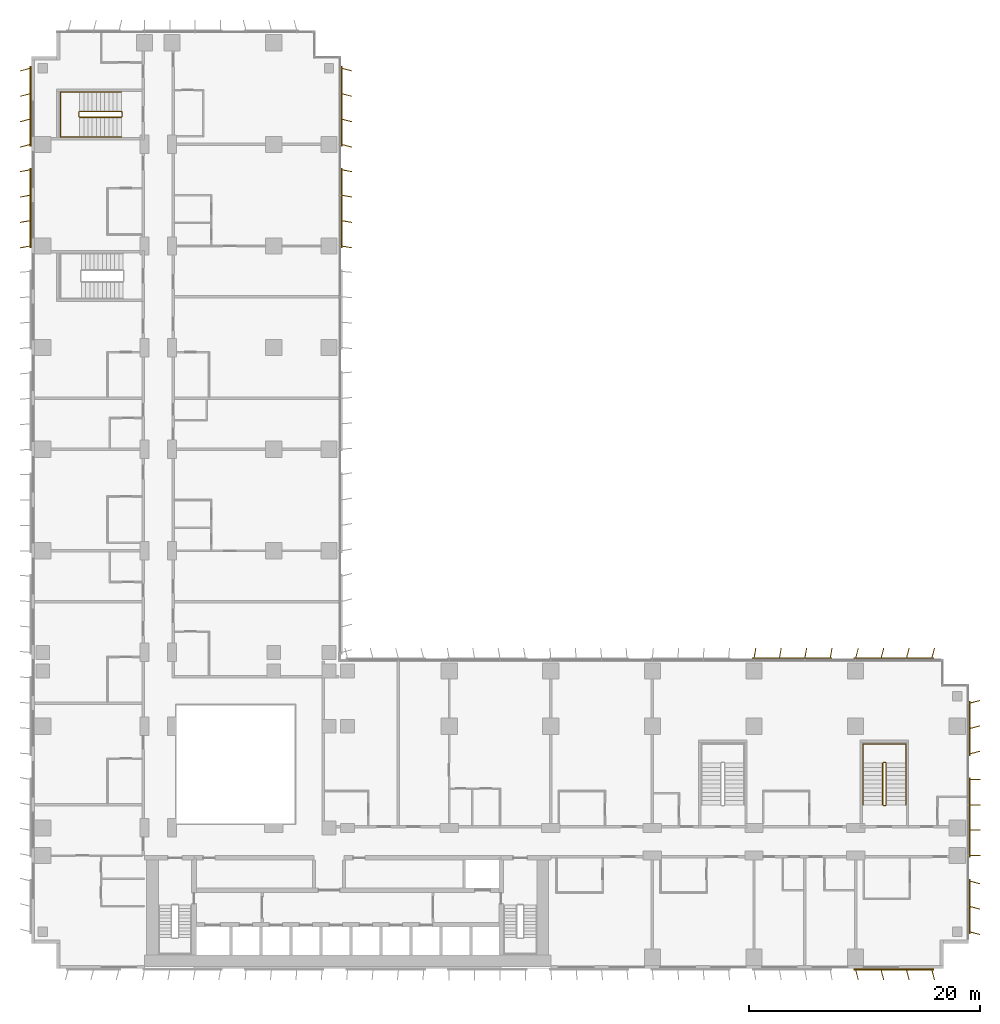
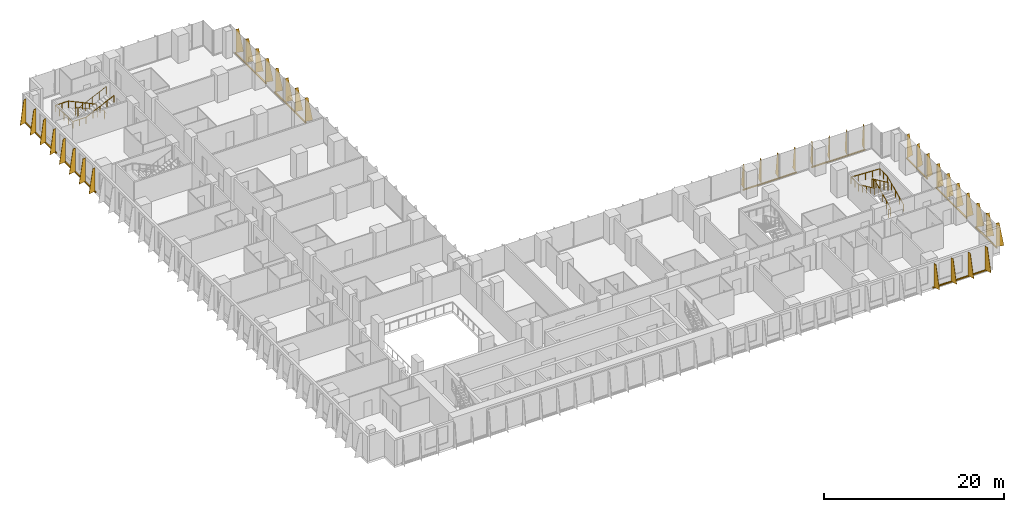
# One storey, part 23 of 24: 10 shading devices, 4 railings.
"""IFC4 building model written with IfcOpenShell, lengths in metres."""

from ifc_helpers import new_model, si_unit, direction, frame, origin, origin_2d, place, context, subcontext, project, spatial, polyline, rectangle, circle, outline, extrude, source, transform, mapped, material, layer, layer_set, type_object, element, save


model = new_model("IFC4")

# Units and contexts
model_context = context("Model", 3, precision=1e-05, world=origin(), true_north=direction((0.0, 1.0)))
body_context = subcontext(model_context, "Body", "Model", "MODEL_VIEW")
ifc_project = project(units=[si_unit("LENGTHUNIT", "METRE"), si_unit("AREAUNIT", "SQUARE_METRE"), si_unit("VOLUMEUNIT", "CUBIC_METRE"), si_unit("PLANEANGLEUNIT", "RADIAN"), si_unit("MASSUNIT", "GRAM", prefix="KILO")], contexts=[model_context])

# Site, building, storey
site_placement = place(None, origin())
site = spatial("IfcSite", under=ifc_project, at=site_placement, CompositionType="ELEMENT")
building_placement = place(site_placement, origin())
building = spatial("IfcBuilding", under=site, at=building_placement, Name="Kemantara Hotel Tower", CompositionType="ELEMENT")
storey_placement = place(building_placement, frame((0.0, 0.0, 45.10009765625)))
storey = spatial("IfcBuildingStorey", under=building, at=storey_placement, Name="L09", CompositionType="ELEMENT", Elevation=45.10009765625)

# Railings
ifc_material_1 = material(Name="Stainless steel balustrade", Category="steel")
railing_type_1 = type_object("IfcRailingType", Name="Stair guard 1100 mm", PredefinedType="GUARDRAIL", material=ifc_material_1)
railing_1_placement = place(storey_placement, frame((73.75, 14.199951171875, 3.699951171875)))
element("IfcRailing", 1, at=railing_1_placement, inside=storey, type_object=railing_type_1, Name="L09 ST5 stair guard 1", PredefinedType="GUARDRAIL", context=body_context, shape_type="SweptSolid", body=[
    extrude(circle(Radius=0.02392578125, at=origin_2d()), frame((0.0, 0.0, 1.076171875), z_axis=(0.0, 0.906005689286, -0.423265508849), x_axis=(-1.0, 0.0, 0.0)), (0.0, 0.0, 1.0), 3.9736328125),
    extrude(circle(Radius=0.02392578125, at=origin_2d()), frame((0.0, 3.60009765625, -0.60595703125), z_axis=(0.274243871929, 0.274243871929, -0.92172696468), x_axis=(-0.707106781187, 0.707106781187, 0.0)), (0.0, 0.0, 1.0), 0.1826171875),
    extrude(circle(Radius=0.02392578125, at=origin_2d()), frame((0.050048828125, 3.650146484375, -0.77392578125), z_axis=(1.0, 0.0, 0.0), x_axis=(0.0, 1.0, 0.0)), (0.0, 0.0, 1.0), 0.199951171875),
    extrude(circle(Radius=0.02392578125, at=origin_2d()), frame((0.25, 3.650146484375, -0.77392578125), z_axis=(0.707106781187, -0.707106781187, 0.0), x_axis=(0.707106781187, 0.707106781187, 0.0)), (0.0, 0.0, 1.0), 0.07080078125),
    extrude(circle(Radius=0.02392578125, at=origin_2d()), frame((0.300048828125, 3.60009765625, -0.77392578125), z_axis=(0.0, -0.906005689286, -0.423265508849), x_axis=(1.0, 0.0, 0.0)), (0.0, 0.0, 1.0), 3.9736328125),
    extrude(circle(Radius=0.02392578125, at=origin_2d()), frame((0.300048828125, 0.0, -2.4560546875), z_axis=(-0.274582412415, -0.274582412415, -0.921525364591), x_axis=(0.707106781187, -0.707106781187, 0.0)), (0.0, 0.0, 1.0), 0.182373046875),
    extrude(circle(Radius=0.02392578125, at=origin_2d()), frame((0.25, -0.050048828125, -2.6240234375), z_axis=(-1.0, 0.0, 0.0), x_axis=(0.0, -1.0, 0.0)), (0.0, 0.0, 1.0), 0.199951171875),
    extrude(circle(Radius=0.02099609375, at=origin_2d()), origin(), (0.0, 0.0, 1.0), 1.052001953125),
    extrude(circle(Radius=0.02099609375, at=origin_2d()), frame((0.0, 0.89990234375, -0.42041015625)), (0.0, 0.0, 1.0), 1.052001953125),
    extrude(circle(Radius=0.02099609375, at=origin_2d()), frame((0.0, 1.800048828125, -0.8408203125)), (0.0, 0.0, 1.0), 1.052001953125),
    extrude(circle(Radius=0.02099609375, at=origin_2d()), frame((0.0, 2.7001953125, -1.261474609375)), (0.0, 0.0, 1.0), 1.052001953125),
    extrude(circle(Radius=0.02099609375, at=origin_2d()), frame((0.0, 3.60009765625, -1.681884765625)), (0.0, 0.0, 1.0), 1.052001953125),
    extrude(circle(Radius=0.02099609375, at=origin_2d()), frame((0.050048828125, 3.650146484375, -1.85009765625)), (0.0, 0.0, 1.0), 1.052001953125),
    extrude(circle(Radius=0.02099609375, at=origin_2d()), frame((0.25, 3.650146484375, -1.85009765625)), (0.0, 0.0, 1.0), 1.052001953125),
    extrude(circle(Radius=0.02099609375, at=origin_2d()), frame((0.300048828125, 3.60009765625, -1.85009765625)), (0.0, 0.0, 1.0), 1.052001953125),
    extrude(circle(Radius=0.02099609375, at=origin_2d()), frame((0.300048828125, 2.7001953125, -2.2705078125)), (0.0, 0.0, 1.0), 1.052001953125),
    extrude(circle(Radius=0.02099609375, at=origin_2d()), frame((0.300048828125, 1.800048828125, -2.69091796875)), (0.0, 0.0, 1.0), 1.052001953125),
    extrude(circle(Radius=0.02099609375, at=origin_2d()), frame((0.300048828125, 0.89990234375, -3.111572265625)), (0.0, 0.0, 1.0), 1.052001953125),
    extrude(circle(Radius=0.02099609375, at=origin_2d()), frame((0.300048828125, 0.0, -3.531982421875)), (0.0, 0.0, 1.0), 1.052001953125),
    extrude(circle(Radius=0.02099609375, at=origin_2d()), frame((0.25, -0.050048828125, -3.699951171875)), (0.0, 0.0, 1.0), 1.052001953125),
    extrude(circle(Radius=0.02099609375, at=origin_2d()), frame((0.050048828125, -0.050048828125, -3.699951171875)), (0.0, 0.0, 1.0), 1.052001953125),
])
railing_2_placement = place(storey_placement, frame((7.800048828125, 73.75, 3.699951171875)))
element("IfcRailing", 2, at=railing_2_placement, inside=storey, type_object=railing_type_1, Name="L09 ST6 stair guard 1", PredefinedType="GUARDRAIL", context=body_context, shape_type="SweptSolid", body=[
    extrude(circle(Radius=0.02392578125, at=origin_2d()), frame((0.0, 0.0, 1.076171875), z_axis=(-0.906005689286, 0.0, -0.423265508849), x_axis=(0.0, -1.0, 0.0)), (0.0, 0.0, 1.0), 3.9736328125),
    extrude(circle(Radius=0.02392578125, at=origin_2d()), frame((-3.60009765625, 0.0, -0.60595703125), z_axis=(-0.274243871929, 0.274243871929, -0.92172696468), x_axis=(-0.707106781187, -0.707106781187, 0.0)), (0.0, 0.0, 1.0), 0.1826171875),
    extrude(circle(Radius=0.02392578125, at=origin_2d()), frame((-3.650146484375, 0.050048828125, -0.77392578125), z_axis=(0.0, 1.0, 0.0), x_axis=(-1.0, 0.0, 0.0)), (0.0, 0.0, 1.0), 0.39990234375),
    extrude(circle(Radius=0.02392578125, at=origin_2d()), frame((-3.650146484375, 0.449951171875, -0.77392578125), z_axis=(0.707106781187, 0.707106781187, 0.0), x_axis=(-0.707106781187, 0.707106781187, 0.0)), (0.0, 0.0, 1.0), 0.07080078125),
    extrude(circle(Radius=0.02392578125, at=origin_2d()), frame((-3.60009765625, 0.5, -0.77392578125), z_axis=(0.906005689286, 0.0, -0.423265508849), x_axis=(0.0, 1.0, 0.0)), (0.0, 0.0, 1.0), 3.9736328125),
    extrude(circle(Radius=0.02392578125, at=origin_2d()), frame((0.0, 0.5, -2.4560546875), z_axis=(0.274582412415, -0.274582412415, -0.921525364591), x_axis=(0.707106781187, 0.707106781187, 0.0)), (0.0, 0.0, 1.0), 0.182373046875),
    extrude(circle(Radius=0.02392578125, at=origin_2d()), frame((0.050048828125, 0.449951171875, -2.6240234375), z_axis=(0.0, -1.0, 0.0), x_axis=(1.0, 0.0, 0.0)), (0.0, 0.0, 1.0), 0.39990234375),
    extrude(circle(Radius=0.02099609375, at=origin_2d()), origin(), (0.0, 0.0, 1.0), 1.052001953125),
    extrude(circle(Radius=0.02099609375, at=origin_2d()), frame((-0.89990234375, 0.0, -0.42041015625)), (0.0, 0.0, 1.0), 1.052001953125),
    extrude(circle(Radius=0.02099609375, at=origin_2d()), frame((-1.800048828125, 0.0, -0.8408203125)), (0.0, 0.0, 1.0), 1.052001953125),
    extrude(circle(Radius=0.02099609375, at=origin_2d()), frame((-2.7001953125, 0.0, -1.261474609375)), (0.0, 0.0, 1.0), 1.052001953125),
    extrude(circle(Radius=0.02099609375, at=origin_2d()), frame((-3.60009765625, 0.0, -1.681884765625)), (0.0, 0.0, 1.0), 1.052001953125),
    extrude(circle(Radius=0.02099609375, at=origin_2d()), frame((-3.650146484375, 0.050048828125, -1.85009765625)), (0.0, 0.0, 1.0), 1.052001953125),
    extrude(circle(Radius=0.02099609375, at=origin_2d()), frame((-3.650146484375, 0.449951171875, -1.85009765625)), (0.0, 0.0, 1.0), 1.052001953125),
    extrude(circle(Radius=0.02099609375, at=origin_2d()), frame((-3.60009765625, 0.5, -1.85009765625)), (0.0, 0.0, 1.0), 1.052001953125),
    extrude(circle(Radius=0.02099609375, at=origin_2d()), frame((-2.7001953125, 0.5, -2.2705078125)), (0.0, 0.0, 1.0), 1.052001953125),
    extrude(circle(Radius=0.02099609375, at=origin_2d()), frame((-1.800048828125, 0.5, -2.69091796875)), (0.0, 0.0, 1.0), 1.052001953125),
    extrude(circle(Radius=0.02099609375, at=origin_2d()), frame((-0.89990234375, 0.5, -3.111572265625)), (0.0, 0.0, 1.0), 1.052001953125),
    extrude(circle(Radius=0.02099609375, at=origin_2d()), frame((0.0, 0.5, -3.531982421875)), (0.0, 0.0, 1.0), 1.052001953125),
    extrude(circle(Radius=0.02099609375, at=origin_2d()), frame((0.050048828125, 0.449951171875, -3.699951171875)), (0.0, 0.0, 1.0), 1.052001953125),
    extrude(circle(Radius=0.02099609375, at=origin_2d()), frame((0.050048828125, 0.050048828125, -3.699951171875)), (0.0, 0.0, 1.0), 1.052001953125),
])
railing_type_2 = type_object("IfcRailingType", Name="Stair handrail 900 mm", PredefinedType="HANDRAIL", material=ifc_material_1)
railing_3_placement = place(storey_placement, frame((75.75, 14.199951171875, 0.16796875)))
element("IfcRailing", 3, at=railing_3_placement, inside=storey, type_object=railing_type_2, Name="L09 ST5 stair handrail 1", PredefinedType="HANDRAIL", context=body_context, shape_type="SweptSolid", body=[
    extrude(circle(Radius=0.02392578125, at=origin_2d()), frame((0.0, 0.0, 0.8759765625), z_axis=(0.0, 0.906005689286, 0.423265508849), x_axis=(-1.0, 0.0, 0.0)), (0.0, 0.0, 1.0), 3.9736328125),
    extrude(circle(Radius=0.02392578125, at=origin_2d()), frame((0.0, 3.60009765625, 2.5576171875), z_axis=(0.0, 1.0, 0.0), x_axis=(-1.0, 0.0, 0.0)), (0.0, 0.0, 1.0), 1.679931640625),
    extrude(circle(Radius=0.02392578125, at=origin_2d()), frame((0.0, 5.280029296875, 2.5576171875), z_axis=(-0.998968132438, 0.0, 0.045416631029), x_axis=(0.0, -1.0, 0.0)), (0.0, 0.0, 1.0), 3.703857421875),
    extrude(circle(Radius=0.02392578125, at=origin_2d()), frame((-3.699951171875, 5.280029296875, 2.72607421875), z_axis=(0.0, -1.0, 0.0), x_axis=(1.0, 0.0, 0.0)), (0.0, 0.0, 1.0), 1.679931640625),
    extrude(circle(Radius=0.02392578125, at=origin_2d()), frame((-3.699951171875, 3.60009765625, 2.72607421875), z_axis=(0.0, -0.906005689286, 0.423265508849), x_axis=(1.0, 0.0, 0.0)), (0.0, 0.0, 1.0), 3.9736328125),
    extrude(circle(Radius=0.02099609375, at=origin_2d()), origin(), (0.0, 0.0, 1.0), 0.851806640625),
    extrude(circle(Radius=0.02099609375, at=origin_2d()), frame((0.0, 0.89990234375, 0.42041015625)), (0.0, 0.0, 1.0), 0.851806640625),
    extrude(circle(Radius=0.02099609375, at=origin_2d()), frame((0.0, 1.800048828125, 0.8408203125)), (0.0, 0.0, 1.0), 0.851806640625),
    extrude(circle(Radius=0.02099609375, at=origin_2d()), frame((0.0, 2.7001953125, 1.261474609375)), (0.0, 0.0, 1.0), 0.851806640625),
    extrude(circle(Radius=0.02099609375, at=origin_2d()), frame((0.0, 3.60009765625, 1.681884765625)), (0.0, 0.0, 1.0), 0.851806640625),
    extrude(circle(Radius=0.02099609375, at=origin_2d()), frame((0.0, 4.43994140625, 1.681884765625)), (0.0, 0.0, 1.0), 0.851806640625),
    extrude(circle(Radius=0.02099609375, at=origin_2d()), frame((0.0, 5.280029296875, 1.681884765625)), (0.0, 0.0, 1.0), 0.851806640625),
    extrude(circle(Radius=0.02099609375, at=origin_2d()), frame((-0.925048828125, 5.280029296875, 1.723876953125)), (0.0, 0.0, 1.0), 0.851806640625),
    extrude(circle(Radius=0.02099609375, at=origin_2d()), frame((-1.85009765625, 5.280029296875, 1.76611328125)), (0.0, 0.0, 1.0), 0.851806640625),
    extrude(circle(Radius=0.02099609375, at=origin_2d()), frame((-2.77490234375, 5.280029296875, 1.80810546875)), (0.0, 0.0, 1.0), 0.851806640625),
    extrude(circle(Radius=0.02099609375, at=origin_2d()), frame((-3.699951171875, 5.280029296875, 1.85009765625)), (0.0, 0.0, 1.0), 0.851806640625),
    extrude(circle(Radius=0.02099609375, at=origin_2d()), frame((-3.699951171875, 4.43994140625, 1.85009765625)), (0.0, 0.0, 1.0), 0.851806640625),
    extrude(circle(Radius=0.02099609375, at=origin_2d()), frame((-3.699951171875, 3.60009765625, 1.85009765625)), (0.0, 0.0, 1.0), 0.851806640625),
    extrude(circle(Radius=0.02099609375, at=origin_2d()), frame((-3.699951171875, 2.7001953125, 2.2705078125)), (0.0, 0.0, 1.0), 0.851806640625),
    extrude(circle(Radius=0.02099609375, at=origin_2d()), frame((-3.699951171875, 1.800048828125, 2.69091796875)), (0.0, 0.0, 1.0), 0.851806640625),
    extrude(circle(Radius=0.02099609375, at=origin_2d()), frame((-3.699951171875, 0.89990234375, 3.111572265625)), (0.0, 0.0, 1.0), 0.851806640625),
    extrude(circle(Radius=0.02099609375, at=origin_2d()), frame((-3.699951171875, 0.0, 3.531982421875)), (0.0, 0.0, 1.0), 0.851806640625),
])
railing_4_placement = place(storey_placement, frame((7.800048828125, 75.949951171875, 0.16796875)))
element("IfcRailing", 4, at=railing_4_placement, inside=storey, type_object=railing_type_2, Name="L09 ST6 stair handrail 1", PredefinedType="HANDRAIL", context=body_context, shape_type="SweptSolid", body=[
    extrude(circle(Radius=0.02392578125, at=origin_2d()), frame((0.0, 0.0, 0.8759765625), z_axis=(-0.906005689286, 0.0, 0.423265508849), x_axis=(0.0, -1.0, 0.0)), (0.0, 0.0, 1.0), 3.9736328125),
    extrude(circle(Radius=0.02392578125, at=origin_2d()), frame((-3.60009765625, 0.0, 2.5576171875), z_axis=(-1.0, 0.0, 0.0), x_axis=(0.0, -1.0, 0.0)), (0.0, 0.0, 1.0), 1.679931640625),
    extrude(circle(Radius=0.02392578125, at=origin_2d()), frame((-5.280029296875, 0.0, 2.5576171875), z_axis=(0.0, -0.999071085748, 0.043092523981), x_axis=(1.0, 0.0, 0.0)), (0.0, 0.0, 1.0), 3.903564453125),
    extrude(circle(Radius=0.02392578125, at=origin_2d()), frame((-5.280029296875, -3.89990234375, 2.72607421875), z_axis=(1.0, 0.0, 0.0), x_axis=(0.0, 1.0, 0.0)), (0.0, 0.0, 1.0), 1.679931640625),
    extrude(circle(Radius=0.02392578125, at=origin_2d()), frame((-3.60009765625, -3.89990234375, 2.72607421875), z_axis=(0.906005689286, 0.0, 0.423265508849), x_axis=(0.0, 1.0, 0.0)), (0.0, 0.0, 1.0), 3.9736328125),
    extrude(circle(Radius=0.02099609375, at=origin_2d()), origin(), (0.0, 0.0, 1.0), 0.851806640625),
    extrude(circle(Radius=0.02099609375, at=origin_2d()), frame((-0.89990234375, 0.0, 0.42041015625)), (0.0, 0.0, 1.0), 0.851806640625),
    extrude(circle(Radius=0.02099609375, at=origin_2d()), frame((-1.800048828125, 0.0, 0.8408203125)), (0.0, 0.0, 1.0), 0.851806640625),
    extrude(circle(Radius=0.02099609375, at=origin_2d()), frame((-2.7001953125, 0.0, 1.261474609375)), (0.0, 0.0, 1.0), 0.851806640625),
    extrude(circle(Radius=0.02099609375, at=origin_2d()), frame((-3.60009765625, 0.0, 1.681884765625)), (0.0, 0.0, 1.0), 0.851806640625),
    extrude(circle(Radius=0.02099609375, at=origin_2d()), frame((-4.43994140625, 0.0, 1.681884765625)), (0.0, 0.0, 1.0), 0.851806640625),
    extrude(circle(Radius=0.02099609375, at=origin_2d()), frame((-5.280029296875, 0.0, 1.681884765625)), (0.0, 0.0, 1.0), 0.851806640625),
    extrude(circle(Radius=0.02099609375, at=origin_2d()), frame((-5.280029296875, -0.97509765625, 1.723876953125)), (0.0, 0.0, 1.0), 0.851806640625),
    extrude(circle(Radius=0.02099609375, at=origin_2d()), frame((-5.280029296875, -1.949951171875, 1.76611328125)), (0.0, 0.0, 1.0), 0.851806640625),
    extrude(circle(Radius=0.02099609375, at=origin_2d()), frame((-5.280029296875, -2.9248046875, 1.80810546875)), (0.0, 0.0, 1.0), 0.851806640625),
    extrude(circle(Radius=0.02099609375, at=origin_2d()), frame((-5.280029296875, -3.89990234375, 1.85009765625)), (0.0, 0.0, 1.0), 0.851806640625),
    extrude(circle(Radius=0.02099609375, at=origin_2d()), frame((-4.43994140625, -3.89990234375, 1.85009765625)), (0.0, 0.0, 1.0), 0.851806640625),
    extrude(circle(Radius=0.02099609375, at=origin_2d()), frame((-3.60009765625, -3.89990234375, 1.85009765625)), (0.0, 0.0, 1.0), 0.851806640625),
    extrude(circle(Radius=0.02099609375, at=origin_2d()), frame((-2.7001953125, -3.89990234375, 2.2705078125)), (0.0, 0.0, 1.0), 0.851806640625),
    extrude(circle(Radius=0.02099609375, at=origin_2d()), frame((-1.800048828125, -3.89990234375, 2.69091796875)), (0.0, 0.0, 1.0), 0.851806640625),
    extrude(circle(Radius=0.02099609375, at=origin_2d()), frame((-0.89990234375, -3.89990234375, 3.111572265625)), (0.0, 0.0, 1.0), 0.851806640625),
    extrude(circle(Radius=0.02099609375, at=origin_2d()), frame((0.0, -3.89990234375, 3.531982421875)), (0.0, 0.0, 1.0), 0.851806640625),
])

# Shading devices
ifc_material_2 = material(Name="Perforated aluminium plate 4 mm bronze anodised", Category="aluminium")
ifc_layer_1 = layer(ifc_material_2, 0.0400390625)
ifc_layer_set_1 = layer_set([ifc_layer_1], Name="Perforated aluminium plate 4 mm bronze anodised")
shading_device_type_1 = type_object("IfcShadingDeviceType", Name="SCREEN FIN CASSETTE, 3 BLADES AT -15.0 DEG, 3200 HIGH", PredefinedType="USERDEFINED", material=ifc_layer_set_1)
shared_shape_1 = source(origin(), body_context, "Body", "SweptSolid", [
    extrude(rectangle(XDim=4.699951171875, YDim=0.14990234375, at=origin_2d()), frame((2.199951171875, -0.074951171875, -0.14990234375), z_axis=(0.0, 0.0, 1.0), x_axis=(1.0, 0.0, 0.0)), (0.0, 0.0, 1.0), 0.14990234375),
    extrude(outline(polyline([(0.0, 0.0), (0.89990234375, 0.0), (0.35009765625, 3.199951171875), (0.0, 3.199951171875), (0.0, 0.0)])), frame((0.019287109375, -0.080078125, 0.0), z_axis=(-0.966437683387, 0.256901156343, 0.0), x_axis=(-0.256901156343, -0.966437683387, 0.0)), (0.0, 0.0, 1.0), 0.039794921875),
    extrude(outline(polyline([(0.0, 0.0), (0.89990234375, 0.0), (0.35009765625, 3.199951171875), (0.0, 3.199951171875), (0.0, 0.0)])), frame((2.21923828125, -0.080078125, 0.0), z_axis=(-0.966437683387, 0.256901156343, 0.0), x_axis=(-0.256901156343, -0.966437683387, 0.0)), (0.0, 0.0, 1.0), 0.039794921875),
    extrude(outline(polyline([(0.0, 0.0), (0.89990234375, 0.0), (0.35009765625, 3.199951171875), (0.0, 3.199951171875), (0.0, 0.0)])), frame((4.41943359375, -0.080078125, 0.0), z_axis=(-0.966837822169, 0.255391122837, 0.0), x_axis=(-0.255391122837, -0.966837822169, 0.0)), (0.0, 0.0, 1.0), 0.0400390625),
])
shading_device_1_placement = place(storey_placement, frame((81.199951171875, 3.199951171875, 0.099853515625), z_axis=(0.0, 0.0, 1.0), x_axis=(0.0, 1.0, 0.0)))
element("IfcShadingDevice", 5, at=shading_device_1_placement, inside=storey, type_object=shading_device_type_1, Name="SCREEN FIN CASSETTE L09 T1-R04-1", ObjectType="SCREEN FIN", PredefinedType="USERDEFINED", context=body_context, shape_type="MappedRepresentation", body=[
    mapped(shared_shape_1, transform((0.0, 0.0, 0.0))),
])
ifc_layer_2 = layer(ifc_material_2, 0.0400390625)
ifc_layer_set_2 = layer_set([ifc_layer_2], Name="Perforated aluminium plate 4 mm bronze anodised")
shading_device_type_2 = type_object("IfcShadingDeviceType", Name="SCREEN FIN CASSETTE, 4 BLADES AT -10.0 DEG, 3200 HIGH", PredefinedType="USERDEFINED", material=ifc_layer_set_2)
shared_shape_2 = source(origin(), body_context, "Body", "SweptSolid", [
    extrude(rectangle(XDim=6.89990234375, YDim=0.14990234375, at=origin_2d()), frame((3.300048828125, -0.074951171875, -0.14990234375), z_axis=(0.0, 0.0, 1.0), x_axis=(1.0, 0.0, 0.0)), (0.0, 0.0, 1.0), 0.14990234375),
    extrude(outline(polyline([(0.0, 0.0), (0.89990234375, 0.0), (0.35009765625, 3.199951171875), (0.0, 3.199951171875), (0.0, 0.0)])), frame((0.019775390625, -0.078369140625, 0.0), z_axis=(-0.985389793052, 0.170314285219, 0.0), x_axis=(-0.170314285219, -0.985389793052, 0.0)), (0.0, 0.0, 1.0), 0.0400390625),
    extrude(outline(polyline([(0.0, 0.0), (0.89990234375, 0.0), (0.35009765625, 3.199951171875), (0.0, 3.199951171875), (0.0, 0.0)])), frame((2.2197265625, -0.078369140625, 0.0), z_axis=(-0.98521175482, 0.171341174751, 0.0), x_axis=(-0.171341174751, -0.98521175482, 0.0)), (0.0, 0.0, 1.0), 0.039794921875),
    extrude(outline(polyline([(0.0, 0.0), (0.89990234375, 0.0), (0.35009765625, 3.199951171875), (0.0, 3.199951171875), (0.0, 0.0)])), frame((4.419677734375, -0.078369140625, 0.0), z_axis=(-0.98521175482, 0.171341174751, 0.0), x_axis=(-0.171341174751, -0.98521175482, 0.0)), (0.0, 0.0, 1.0), 0.039794921875),
    extrude(outline(polyline([(0.0, 0.0), (0.89990234375, 0.0), (0.35009765625, 3.199951171875), (0.0, 3.199951171875), (0.0, 0.0)])), frame((6.61962890625, -0.078369140625, 0.0), z_axis=(-0.98521175482, 0.171341174751, 0.0), x_axis=(-0.171341174751, -0.98521175482, 0.0)), (0.0, 0.0, 1.0), 0.039794921875),
])
for number, where, z_axis, x_axis, name in (
    (6, (69.199951171875, 26.800048828125, 0.099853515625), (0.0, 0.0, 1.0), (-1.0, 0.0, 0.0), "SCREEN FIN CASSETTE L09 T1-R07-2"),
    (7, (26.800048828125, 62.60009765625, 0.099853515625), (0.0, 0.0, 1.0), (0.0, 1.0, 0.0), "SCREEN FIN CASSETTE L09 T1-R08-5"),
):
    element("IfcShadingDevice", number, at=place(storey_placement, frame(where, z_axis=z_axis, x_axis=x_axis)), inside=storey, type_object=shading_device_type_2, Name=name, ObjectType="SCREEN FIN", PredefinedType="USERDEFINED", context=body_context, shape_type="MappedRepresentation", body=[
        mapped(shared_shape_2, transform((0.0, 0.0, 0.0))),
    ])
ifc_layer_3 = layer(ifc_material_2, 0.0400390625)
ifc_layer_set_3 = layer_set([ifc_layer_3], Name="Perforated aluminium plate 4 mm bronze anodised")
shading_device_type_3 = type_object("IfcShadingDeviceType", Name="SCREEN FIN CASSETTE, 4 BLADES AT +0.0 DEG, 3200 HIGH", PredefinedType="USERDEFINED", material=ifc_layer_set_3)
shared_shape_3 = source(origin(), body_context, "Body", "SweptSolid", [
    extrude(rectangle(XDim=6.89990234375, YDim=0.14990234375, at=origin_2d()), frame((3.300048828125, -0.074951171875, -0.14990234375), z_axis=(0.0, 0.0, 1.0), x_axis=(1.0, 0.0, 0.0)), (0.0, 0.0, 1.0), 0.14990234375),
    extrude(outline(polyline([(0.0, 0.0), (0.89990234375, 0.0), (0.35009765625, 3.199951171875), (0.0, 3.199951171875), (0.0, 0.0)])), frame((0.02001953125, -0.074951171875, 0.0), z_axis=(-1.0, 0.0, 0.0), x_axis=(0.0, -1.0, 0.0)), (0.0, 0.0, 1.0), 0.0400390625),
    extrude(outline(polyline([(0.0, 0.0), (0.89990234375, 0.0), (0.35009765625, 3.199951171875), (0.0, 3.199951171875), (0.0, 0.0)])), frame((2.219970703125, -0.074951171875, 0.0), z_axis=(-1.0, 0.0, 0.0), x_axis=(0.0, -1.0, 0.0)), (0.0, 0.0, 1.0), 0.0400390625),
    extrude(outline(polyline([(0.0, 0.0), (0.89990234375, 0.0), (0.35009765625, 3.199951171875), (0.0, 3.199951171875), (0.0, 0.0)])), frame((4.419921875, -0.074951171875, 0.0), z_axis=(-1.0, 0.0, 0.0), x_axis=(0.0, -1.0, 0.0)), (0.0, 0.0, 1.0), 0.0400390625),
    extrude(outline(polyline([(0.0, 0.0), (0.89990234375, 0.0), (0.35009765625, 3.199951171875), (0.0, 3.199951171875), (0.0, 0.0)])), frame((6.6201171875, -0.074951171875, 0.0), z_axis=(-1.0, 0.0, 0.0), x_axis=(0.0, -1.0, 0.0)), (0.0, 0.0, 1.0), 0.0400390625),
])
shading_device_2_placement = place(storey_placement, frame((81.199951171875, 9.800048828125, 0.099853515625), z_axis=(0.0, 0.0, 1.0), x_axis=(0.0, 1.0, 0.0)))
element("IfcShadingDevice", 8, at=shading_device_2_placement, inside=storey, type_object=shading_device_type_3, Name="SCREEN FIN CASSETTE L09 T1-R04-2", ObjectType="SCREEN FIN", PredefinedType="USERDEFINED", context=body_context, shape_type="MappedRepresentation", body=[
    mapped(shared_shape_3, transform((0.0, 0.0, 0.0))),
])
ifc_layer_4 = layer(ifc_material_2, 0.0400390625)
ifc_layer_set_4 = layer_set([ifc_layer_4], Name="Perforated aluminium plate 4 mm bronze anodised")
shading_device_type_4 = type_object("IfcShadingDeviceType", Name="SCREEN FIN CASSETTE, 4 BLADES AT +10.0 DEG, 3200 HIGH", PredefinedType="USERDEFINED", material=ifc_layer_set_4)
shared_shape_4 = source(origin(), body_context, "Body", "SweptSolid", [
    extrude(rectangle(XDim=6.89990234375, YDim=0.14990234375, at=origin_2d()), frame((3.300048828125, -0.074951171875, -0.14990234375), z_axis=(0.0, 0.0, 1.0), x_axis=(1.0, 0.0, 0.0)), (0.0, 0.0, 1.0), 0.14990234375),
    extrude(outline(polyline([(0.0, 0.0), (0.89990234375, 0.0), (0.35009765625, 3.199951171875), (0.0, 3.199951171875), (0.0, 0.0)])), frame((0.019775390625, -0.071533203125, 0.0), z_axis=(-0.985389793052, -0.170314285219, 0.0), x_axis=(0.170314285219, -0.985389793052, 0.0)), (0.0, 0.0, 1.0), 0.0400390625),
    extrude(outline(polyline([(0.0, 0.0), (0.89990234375, 0.0), (0.35009765625, 3.199951171875), (0.0, 3.199951171875), (0.0, 0.0)])), frame((2.2197265625, -0.071533203125, 0.0), z_axis=(-0.98521175482, -0.171341174751, 0.0), x_axis=(0.171341174751, -0.98521175482, 0.0)), (0.0, 0.0, 1.0), 0.039794921875),
    extrude(outline(polyline([(0.0, 0.0), (0.89990234375, 0.0), (0.35009765625, 3.199951171875), (0.0, 3.199951171875), (0.0, 0.0)])), frame((4.419677734375, -0.071533203125, 0.0), z_axis=(-0.98521175482, -0.171341174751, 0.0), x_axis=(0.171341174751, -0.98521175482, 0.0)), (0.0, 0.0, 1.0), 0.039794921875),
    extrude(outline(polyline([(0.0, 0.0), (0.89990234375, 0.0), (0.35009765625, 3.199951171875), (0.0, 3.199951171875), (0.0, 0.0)])), frame((6.61962890625, -0.071533203125, 0.0), z_axis=(-0.98521175482, -0.171341174751, 0.0), x_axis=(0.171341174751, -0.98521175482, 0.0)), (0.0, 0.0, 1.0), 0.039794921875),
])
shading_device_3_placement = place(storey_placement, frame((0.0, 69.199951171875, 0.099853515625), z_axis=(0.0, 0.0, 1.0), x_axis=(0.0, -1.0, 0.0)))
element("IfcShadingDevice", 9, at=shading_device_3_placement, inside=storey, type_object=shading_device_type_4, Name="SCREEN FIN CASSETTE L09 T1-R14-2", ObjectType="SCREEN FIN", PredefinedType="USERDEFINED", context=body_context, shape_type="MappedRepresentation", body=[
    mapped(shared_shape_4, transform((0.0, 0.0, 0.0))),
])
ifc_layer_5 = layer(ifc_material_2, 0.0400390625)
ifc_layer_set_5 = layer_set([ifc_layer_5], Name="Perforated aluminium plate 4 mm bronze anodised")
shading_device_type_5 = type_object("IfcShadingDeviceType", Name="SCREEN FIN CASSETTE, 4 BLADES AT +15.0 DEG, 3200 HIGH", PredefinedType="USERDEFINED", material=ifc_layer_set_5)
shared_shape_5 = source(origin(), body_context, "Body", "SweptSolid", [
    extrude(rectangle(XDim=6.89990234375, YDim=0.14990234375, at=origin_2d()), frame((3.300048828125, -0.074951171875, -0.14990234375), z_axis=(0.0, 0.0, 1.0), x_axis=(1.0, 0.0, 0.0)), (0.0, 0.0, 1.0), 0.14990234375),
    extrude(outline(polyline([(0.0, 0.0), (0.89990234375, 0.0), (0.35009765625, 3.199951171875), (0.0, 3.199951171875), (0.0, 0.0)])), frame((0.019287109375, -0.06982421875, 0.0), z_axis=(-0.966437683387, -0.256901156343, 0.0), x_axis=(0.256901156343, -0.966437683387, 0.0)), (0.0, 0.0, 1.0), 0.039794921875),
    extrude(outline(polyline([(0.0, 0.0), (0.89990234375, 0.0), (0.35009765625, 3.199951171875), (0.0, 3.199951171875), (0.0, 0.0)])), frame((2.21923828125, -0.06982421875, 0.0), z_axis=(-0.966437683387, -0.256901156343, 0.0), x_axis=(0.256901156343, -0.966437683387, 0.0)), (0.0, 0.0, 1.0), 0.039794921875),
    extrude(outline(polyline([(0.0, 0.0), (0.89990234375, 0.0), (0.35009765625, 3.199951171875), (0.0, 3.199951171875), (0.0, 0.0)])), frame((4.41943359375, -0.06982421875, 0.0), z_axis=(-0.966837822169, -0.255391122837, 0.0), x_axis=(0.255391122837, -0.966837822169, 0.0)), (0.0, 0.0, 1.0), 0.0400390625),
    extrude(outline(polyline([(0.0, 0.0), (0.89990234375, 0.0), (0.35009765625, 3.199951171875), (0.0, 3.199951171875), (0.0, 0.0)])), frame((6.619384765625, -0.06982421875, 0.0), z_axis=(-0.966837822169, -0.255391122837, 0.0), x_axis=(0.255391122837, -0.966837822169, 0.0)), (0.0, 0.0, 1.0), 0.0400390625),
])
for number, where, z_axis, x_axis, name in (
    (10, (71.39990234375, 0.0, 0.099853515625), (0.0, 0.0, 1.0), (1.0, 0.0, 0.0), "SCREEN FIN CASSETTE L09 T1-R01-9"),
    (11, (0.0, 78.0, 0.099853515625), (0.0, 0.0, 1.0), (0.0, -1.0, 0.0), "SCREEN FIN CASSETTE L09 T1-R14-1"),
):
    element("IfcShadingDevice", number, at=place(storey_placement, frame(where, z_axis=z_axis, x_axis=x_axis)), inside=storey, type_object=shading_device_type_5, Name=name, ObjectType="SCREEN FIN", PredefinedType="USERDEFINED", context=body_context, shape_type="MappedRepresentation", body=[
        mapped(shared_shape_5, transform((0.0, 0.0, 0.0))),
    ])
ifc_layer_6 = layer(ifc_material_2, 0.0400390625)
ifc_layer_set_6 = layer_set([ifc_layer_6], Name="Perforated aluminium plate 4 mm bronze anodised")
shading_device_type_6 = type_object("IfcShadingDeviceType", Name="SCREEN FIN CASSETTE, 3 BLADES AT +15.0 DEG, 3200 HIGH", PredefinedType="USERDEFINED", material=ifc_layer_set_6)
shared_shape_6 = source(origin(), body_context, "Body", "SweptSolid", [
    extrude(rectangle(XDim=4.699951171875, YDim=0.14990234375, at=origin_2d()), frame((2.199951171875, -0.074951171875, -0.14990234375), z_axis=(0.0, 0.0, 1.0), x_axis=(1.0, 0.0, 0.0)), (0.0, 0.0, 1.0), 0.14990234375),
    extrude(outline(polyline([(0.0, 0.0), (0.89990234375, 0.0), (0.35009765625, 3.199951171875), (0.0, 3.199951171875), (0.0, 0.0)])), frame((0.019287109375, -0.06982421875, 0.0), z_axis=(-0.966437683387, -0.256901156343, 0.0), x_axis=(0.256901156343, -0.966437683387, 0.0)), (0.0, 0.0, 1.0), 0.039794921875),
    extrude(outline(polyline([(0.0, 0.0), (0.89990234375, 0.0), (0.35009765625, 3.199951171875), (0.0, 3.199951171875), (0.0, 0.0)])), frame((2.21923828125, -0.06982421875, 0.0), z_axis=(-0.966437683387, -0.256901156343, 0.0), x_axis=(0.256901156343, -0.966437683387, 0.0)), (0.0, 0.0, 1.0), 0.039794921875),
    extrude(outline(polyline([(0.0, 0.0), (0.89990234375, 0.0), (0.35009765625, 3.199951171875), (0.0, 3.199951171875), (0.0, 0.0)])), frame((4.41943359375, -0.06982421875, 0.0), z_axis=(-0.966837822169, -0.255391122837, 0.0), x_axis=(0.255391122837, -0.966837822169, 0.0)), (0.0, 0.0, 1.0), 0.0400390625),
])
shading_device_4_placement = place(storey_placement, frame((81.199951171875, 18.60009765625, 0.099853515625), z_axis=(0.0, 0.0, 1.0), x_axis=(0.0, 1.0, 0.0)))
element("IfcShadingDevice", 12, at=shading_device_4_placement, inside=storey, type_object=shading_device_type_6, Name="SCREEN FIN CASSETTE L09 T1-R04-3", ObjectType="SCREEN FIN", PredefinedType="USERDEFINED", context=body_context, shape_type="MappedRepresentation", body=[
    mapped(shared_shape_6, transform((0.0, 0.0, 0.0))),
])
ifc_layer_7 = layer(ifc_material_2, 0.0400390625)
ifc_layer_set_7 = layer_set([ifc_layer_7], Name="Perforated aluminium plate 4 mm bronze anodised")
shading_device_type_7 = type_object("IfcShadingDeviceType", Name="SCREEN FIN CASSETTE, 4 BLADES AT -15.0 DEG, 3200 HIGH", PredefinedType="USERDEFINED", material=ifc_layer_set_7)
shared_shape_7 = source(origin(), body_context, "Body", "SweptSolid", [
    extrude(rectangle(XDim=6.89990234375, YDim=0.14990234375, at=origin_2d()), frame((3.300048828125, -0.074951171875, -0.14990234375), z_axis=(0.0, 0.0, 1.0), x_axis=(1.0, 0.0, 0.0)), (0.0, 0.0, 1.0), 0.14990234375),
    extrude(outline(polyline([(0.0, 0.0), (0.89990234375, 0.0), (0.35009765625, 3.199951171875), (0.0, 3.199951171875), (0.0, 0.0)])), frame((0.019287109375, -0.080078125, 0.0), z_axis=(-0.966437683387, 0.256901156343, 0.0), x_axis=(-0.256901156343, -0.966437683387, 0.0)), (0.0, 0.0, 1.0), 0.039794921875),
    extrude(outline(polyline([(0.0, 0.0), (0.89990234375, 0.0), (0.35009765625, 3.199951171875), (0.0, 3.199951171875), (0.0, 0.0)])), frame((2.21923828125, -0.080078125, 0.0), z_axis=(-0.966437683387, 0.256901156343, 0.0), x_axis=(-0.256901156343, -0.966437683387, 0.0)), (0.0, 0.0, 1.0), 0.039794921875),
    extrude(outline(polyline([(0.0, 0.0), (0.89990234375, 0.0), (0.35009765625, 3.199951171875), (0.0, 3.199951171875), (0.0, 0.0)])), frame((4.41943359375, -0.080078125, 0.0), z_axis=(-0.966837822169, 0.255391122837, 0.0), x_axis=(-0.255391122837, -0.966837822169, 0.0)), (0.0, 0.0, 1.0), 0.0400390625),
    extrude(outline(polyline([(0.0, 0.0), (0.89990234375, 0.0), (0.35009765625, 3.199951171875), (0.0, 3.199951171875), (0.0, 0.0)])), frame((6.619384765625, -0.080078125, 0.0), z_axis=(-0.966837822169, 0.255391122837, 0.0), x_axis=(-0.255391122837, -0.966837822169, 0.0)), (0.0, 0.0, 1.0), 0.0400390625),
])
for number, where, z_axis, x_axis, name in (
    (13, (78.0, 26.800048828125, 0.099853515625), (0.0, 0.0, 1.0), (-1.0, 0.0, 0.0), "SCREEN FIN CASSETTE L09 T1-R07-1"),
    (14, (26.800048828125, 71.39990234375, 0.099853515625), (0.0, 0.0, 1.0), (0.0, 1.0, 0.0), "SCREEN FIN CASSETTE L09 T1-R08-6"),
):
    element("IfcShadingDevice", number, at=place(storey_placement, frame(where, z_axis=z_axis, x_axis=x_axis)), inside=storey, type_object=shading_device_type_7, Name=name, ObjectType="SCREEN FIN", PredefinedType="USERDEFINED", context=body_context, shape_type="MappedRepresentation", body=[
        mapped(shared_shape_7, transform((0.0, 0.0, 0.0))),
    ])

save(model, "model.ifc")
